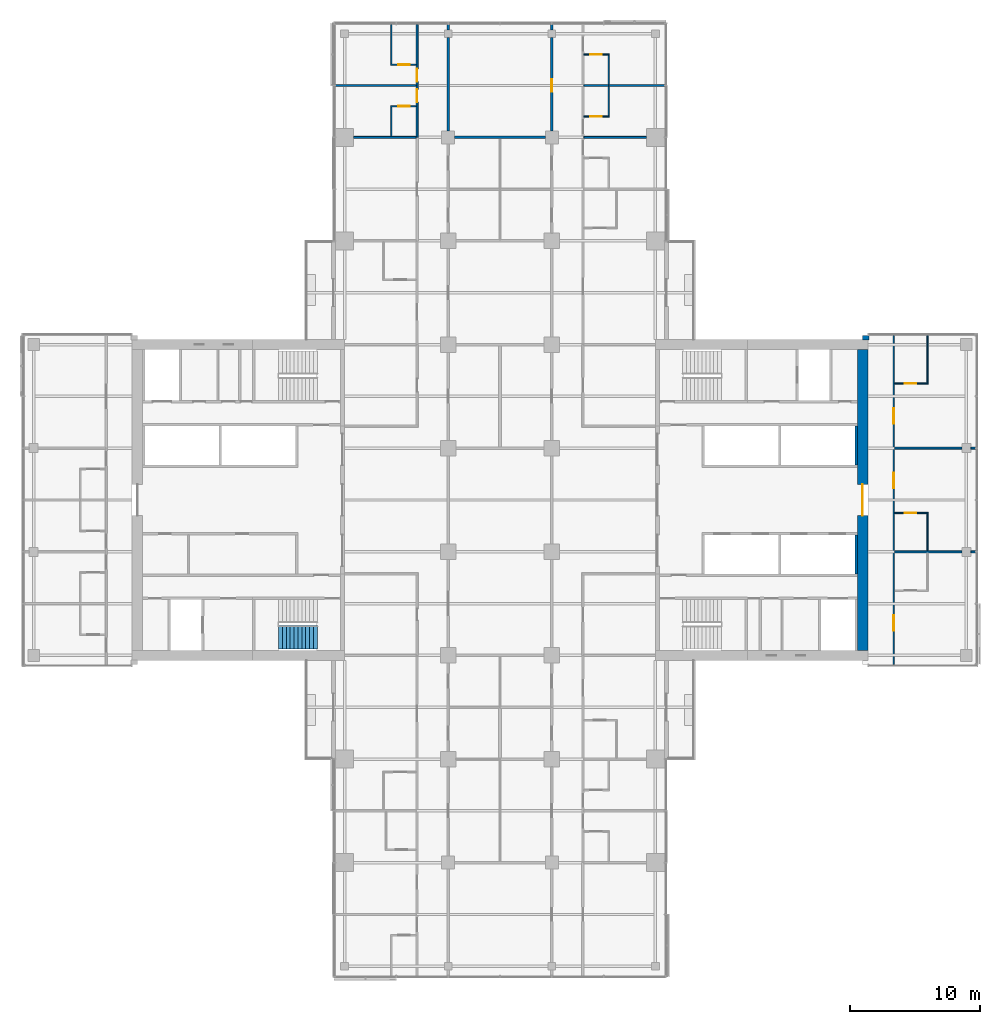
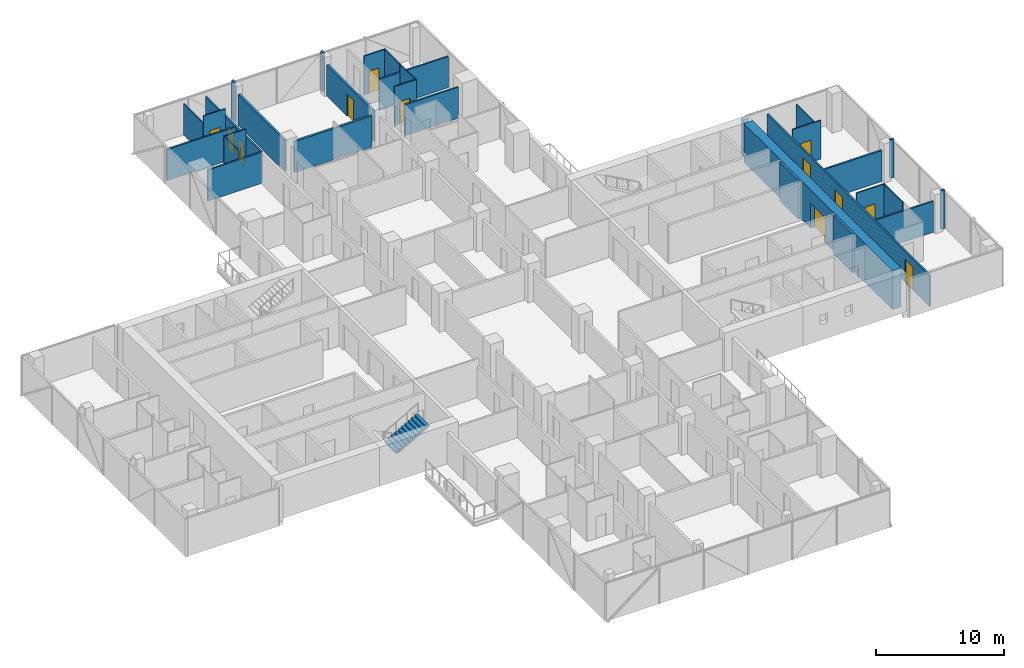
# One storey, part 21 of 27: 31 walls, 13 doors, 1 stair flight, 13 openings, 1 element without a shape of its own.
"""IFC4 building model written with IfcOpenShell, lengths in metres."""

from ifc_helpers import new_model, si_unit, direction, frame, frame_2d, origin, place, context, subcontext, project, spatial, polyline, rectangle, outline, extrude, material, layer, layer_set, type_object, element, fill, aggregate, save


model = new_model("IFC4")

# Units and contexts
model_context = context("Model", 3, precision=1e-05, world=origin(), true_north=direction((0.0, 1.0)))
body_context = subcontext(model_context, "Body", "Model", "MODEL_VIEW")
ifc_project = project(units=[si_unit("LENGTHUNIT", "METRE"), si_unit("AREAUNIT", "SQUARE_METRE"), si_unit("VOLUMEUNIT", "CUBIC_METRE"), si_unit("PLANEANGLEUNIT", "RADIAN"), si_unit("MASSUNIT", "GRAM", prefix="KILO")], contexts=[model_context])

# Site, building, storey
site_placement = place(None, origin())
site = spatial("IfcSite", under=ifc_project, at=site_placement, CompositionType="ELEMENT")
building_placement = place(site_placement, origin())
building = spatial("IfcBuilding", under=site, at=building_placement, Name="Crosswind Convention Tower", CompositionType="ELEMENT")
storey_placement = place(building_placement, frame((0.0, 0.0, 79.39990234375)))
storey = spatial("IfcBuildingStorey", under=building, at=storey_placement, Name="L14", CompositionType="ELEMENT", Elevation=79.39990234375)

# Wall, opening, door
ifc_material_1 = material(Name="Concrete C60/75", Category="concrete")
ifc_layer_1 = layer(ifc_material_1, 0.800048828125)
ifc_layer_set_1 = layer_set([ifc_layer_1], Name="Concrete C60/75")
wall_type_1 = type_object("IfcWallType", Name="Concrete core wall 800", PredefinedType="SHEAR", material=ifc_layer_set_1)
wall_1_placement = place(storey_placement, frame((153.0, 88.39990234375, 0.0), z_axis=(0.0, 0.0, 1.0), x_axis=(0.0, 1.0, 0.0)))
wall_1 = element("IfcWall", 1, at=wall_1_placement, inside=storey, type_object=wall_type_1, Name="Wall O E L14", PredefinedType="SHEAR", context=body_context, shape_type="SweptSolid", body=[
    extrude(rectangle(XDim=23.2001953125, YDim=0.800048828125, at=frame_2d((11.60009765625, 0.0))), origin(), (0.0, 0.0, 1.0), 3.7001953125),
])
opening_1_placement = place(wall_1_placement, frame((10.39990234375, 0.0, 0.0)))
opening_1 = element("IfcOpeningElement", 2, at=opening_1_placement, cuts=wall_1, Name="Opening D100", PredefinedType="OPENING", context=body_context, shape_type="SweptSolid", body=[
    extrude(rectangle(XDim=2.39990234375, YDim=2.39990234375, at=frame_2d((1.199951171875, 1.199951171875))), frame((0.0, 0.409912109375, 0.0), z_axis=(0.0, -1.0, 0.0), x_axis=(1.0, 0.0, 0.0)), (0.0, 0.0, 1.0), 0.820068359375),
])
ifc_material_2 = material(Name="Steel fire door with glazed vision panels", Category="steel")
door_type_1 = type_object("IfcDoorType", Name="Fire-rated double door 2400x2400", OperationType="DOUBLE_DOOR_SINGLE_SWING", PredefinedType="DOOR", material=ifc_material_2)
door_1_placement = place(opening_1_placement, origin())
door_1 = element("IfcDoor", 3, at=door_1_placement, inside=storey, type_object=door_type_1, Name="Lobby outer door L14", ObjectType="D100", OperationType="DOUBLE_DOOR_SINGLE_SWING", OverallHeight=2.39990234375, OverallWidth=2.39990234375, PredefinedType="DOOR", context=body_context, shape_type="SweptSolid", body=[
    extrude(rectangle(XDim=2.39990234375, YDim=2.39990234375, at=frame_2d((1.199951171875, 1.199951171875))), frame((0.0, 0.02490234375, 0.0), z_axis=(0.0, -1.0, 0.0), x_axis=(1.0, 0.0, 0.0)), (0.0, 0.0, 1.0), 0.050048828125),
])
fill(opening_1, door_1)

# Walls
ifc_material_3 = material(Name="Concrete C50/60", Category="concrete")
ifc_layer_2 = layer(ifc_material_3, 0.199951171875)
ifc_layer_set_2 = layer_set([ifc_layer_2], Name="Concrete C50/60")
wall_type_2 = type_object("IfcWallType", Name="Concrete shaft and stair wall 200", PredefinedType="SHEAR", material=ifc_layer_set_2)
for number, where, z_axis, x_axis, name in (
    (4, (152.5, 102.699951171875, 0.0), (0.0, 0.0, 1.0), (0.0, 1.0, 0.0), "Wall RPEAST E L14"),
    (5, (152.5, 94.300048828125, 0.0), (0.0, 0.0, 1.0), (0.0, 1.0, 0.0), "Wall RMEAST E L14"),
):
    element("IfcWall", number, at=place(storey_placement, frame(where, z_axis=z_axis, x_axis=x_axis)), inside=storey, type_object=wall_type_2, Name=name, PredefinedType="SHEAR", context=body_context, shape_type="SweptSolid", body=[
        extrude(rectangle(XDim=3.0, YDim=0.199951171875, at=frame_2d((1.5, 0.0))), origin(), (0.0, 0.0, 1.0), 3.7001953125),
    ])
ifc_material_4 = material(Name="Acoustic plasterboard partition", Category="gypsum")
ifc_layer_3 = layer(ifc_material_4, 0.14990234375)
ifc_layer_set_3 = layer_set([ifc_layer_3], Name="GUEST ROOM WALL 150")
wall_type_3 = type_object("IfcWallType", Name="GUEST ROOM WALL 150", PredefinedType="PARTITIONING", material=ifc_layer_set_3)
wall_2_placement = place(storey_placement, frame((155.47509765625, 96.0, 0.0), z_axis=(0.0, 0.0, 1.0), x_axis=(1.0, 0.0, 0.0)))
element("IfcWall", 6, at=wall_2_placement, inside=storey, type_object=wall_type_3, Name="Guest Room Wall 28", PredefinedType="PARTITIONING", context=body_context, shape_type="SweptSolid", body=[
    extrude(rectangle(XDim=5.1748046875, YDim=0.14990234375, at=frame_2d((2.58740234375, 0.0))), origin(), (0.0, 0.0, 1.0), 2.95654296875),
])
wall_3_placement = place(storey_placement, frame((161.35009765625, 96.0, 0.0), z_axis=(0.0, 0.0, 1.0), x_axis=(1.0, 0.0, 0.0)))
element("IfcWall", 7, at=wall_3_placement, inside=storey, type_object=wall_type_3, Name="Guest Room Wall 29", PredefinedType="PARTITIONING", context=body_context, shape_type="SweptSolid", body=[
    extrude(rectangle(XDim=0.349853515625, YDim=0.14990234375, at=frame_2d((0.1748046875, 0.0))), origin(), (0.0, 0.0, 1.0), 3.7001953125),
])
wall_4_placement = place(storey_placement, frame((155.47509765625, 104.0, 0.0), z_axis=(0.0, 0.0, 1.0), x_axis=(1.0, 0.0, 0.0)))
element("IfcWall", 8, at=wall_4_placement, inside=storey, type_object=wall_type_3, Name="Guest Room Wall 37", PredefinedType="PARTITIONING", context=body_context, shape_type="SweptSolid", body=[
    extrude(rectangle(XDim=5.1748046875, YDim=0.14990234375, at=frame_2d((2.58740234375, 0.0))), origin(), (0.0, 0.0, 1.0), 2.95654296875),
])
wall_5_placement = place(storey_placement, frame((161.35009765625, 104.0, 0.0), z_axis=(0.0, 0.0, 1.0), x_axis=(1.0, 0.0, 0.0)))
element("IfcWall", 9, at=wall_5_placement, inside=storey, type_object=wall_type_3, Name="Guest Room Wall 38", PredefinedType="PARTITIONING", context=body_context, shape_type="SweptSolid", body=[
    extrude(rectangle(XDim=0.349853515625, YDim=0.14990234375, at=frame_2d((0.1748046875, 0.0))), origin(), (0.0, 0.0, 1.0), 3.7001953125),
])
for number, where, z_axis, x_axis, name in (
    (10, (113.699951171875, 128.0, 0.0), (0.0, 0.0, 1.0), (1.0, 0.0, 0.0), "Guest Room Wall 52"),
    (11, (131.47509765625, 128.0, 0.0), (0.0, 0.0, 1.0), (1.0, 0.0, 0.0), "Guest Room Wall 54"),
):
    element("IfcWall", number, at=place(storey_placement, frame(where, z_axis=z_axis, x_axis=x_axis)), inside=storey, type_object=wall_type_3, Name=name, PredefinedType="PARTITIONING", context=body_context, shape_type="SweptSolid", body=[
        extrude(rectangle(XDim=4.824951171875, YDim=0.14990234375, at=frame_2d((2.41259765625, 0.0))), origin(), (0.0, 0.0, 1.0), 2.9599609375),
    ])
for number, where, z_axis, x_axis, name in (
    (12, (112.300048828125, 132.0, 0.0), (0.0, 0.0, 1.0), (1.0, 0.0, 0.0), "Guest Room Wall 57"),
    (13, (131.47509765625, 132.0, 0.0), (0.0, 0.0, 1.0), (1.0, 0.0, 0.0), "Guest Room Wall 58"),
):
    element("IfcWall", number, at=place(storey_placement, frame(where, z_axis=z_axis, x_axis=x_axis)), inside=storey, type_object=wall_type_3, Name=name, PredefinedType="PARTITIONING", context=body_context, shape_type="SweptSolid", body=[
        extrude(rectangle(XDim=6.224853515625, YDim=0.14990234375, at=frame_2d((3.1123046875, 0.0))), origin(), (0.0, 0.0, 1.0), 2.962890625),
    ])

# Wall, openings, doors
wall_6_placement = place(storey_placement, frame((118.60009765625, 128.0, 0.0), z_axis=(0.0, 0.0, 1.0), x_axis=(0.0, 1.0, 0.0)))
wall_6 = element("IfcWall", 14, at=wall_6_placement, inside=storey, type_object=wall_type_3, Name="Guest Room Wall 78", PredefinedType="PARTITIONING", context=body_context, shape_type="SweptSolid", body=[
    extrude(rectangle(XDim=8.699951171875, YDim=0.14990234375, at=frame_2d((4.35009765625, 0.0))), origin(), (0.0, 0.0, 1.0), 2.9599609375),
])
opening_2_placement = place(wall_6_placement, frame((2.699951171875, 0.0, 0.0)))
opening_2 = element("IfcOpeningElement", 15, at=opening_2_placement, cuts=wall_6, Name="Opening 14.016", PredefinedType="OPENING", context=body_context, shape_type="SweptSolid", body=[
    extrude(rectangle(XDim=1.0, YDim=2.10009765625, at=frame_2d((0.5, 1.050048828125))), frame((0.0, 0.0849609375, 0.0), z_axis=(0.0, -1.0, 0.0), x_axis=(1.0, 0.0, 0.0)), (0.0, 0.0, 1.0), 0.169921875),
])
opening_3_placement = place(wall_6_placement, frame((4.300048828125, 0.0, 0.0)))
opening_3 = element("IfcOpeningElement", 16, at=opening_3_placement, cuts=wall_6, Name="Opening 14.018", PredefinedType="OPENING", context=body_context, shape_type="SweptSolid", body=[
    extrude(rectangle(XDim=1.0, YDim=2.10009765625, at=frame_2d((0.5, 1.050048828125))), frame((0.0, 0.0849609375, 0.0), z_axis=(0.0, -1.0, 0.0), x_axis=(1.0, 0.0, 0.0)), (0.0, 0.0, 1.0), 0.169921875),
])
ifc_material_5 = material(Name="Timber fire door", Category="wood")
door_type_2 = type_object("IfcDoorType", Name="GUEST ROOM DOOR 1000X2100", OperationType="NOTDEFINED", PredefinedType="DOOR", material=ifc_material_5)
door_2_placement = place(opening_2_placement, origin())
door_2 = element("IfcDoor", 17, at=door_2_placement, inside=storey, type_object=door_type_2, Name="Door 14.016", ObjectType="D1", OperationType="SINGLE_SWING_RIGHT", OverallHeight=2.10009765625, OverallWidth=1.0, PredefinedType="DOOR", context=body_context, shape_type="SweptSolid", body=[
    extrude(rectangle(XDim=1.0, YDim=2.10009765625, at=frame_2d((0.5, 1.050048828125))), frame((0.0, 0.02490234375, 0.0), z_axis=(0.0, -1.0, 0.0), x_axis=(1.0, 0.0, 0.0)), (0.0, 0.0, 1.0), 0.050048828125),
])
fill(opening_2, door_2)
door_3_placement = place(opening_3_placement, origin())
door_3 = element("IfcDoor", 18, at=door_3_placement, inside=storey, type_object=door_type_2, Name="Door 14.018", ObjectType="D1", OperationType="SINGLE_SWING_RIGHT", OverallHeight=2.10009765625, OverallWidth=1.0, PredefinedType="DOOR", context=body_context, shape_type="SweptSolid", body=[
    extrude(rectangle(XDim=1.0, YDim=2.10009765625, at=frame_2d((0.5, 1.050048828125))), frame((0.0, 0.02490234375, 0.0), z_axis=(0.0, -1.0, 0.0), x_axis=(1.0, 0.0, 0.0)), (0.0, 0.0, 1.0), 0.050048828125),
])
fill(opening_3, door_3)

wall_7_placement = place(storey_placement, frame((155.39990234375, 87.300048828125, 0.0), z_axis=(0.0, 0.0, 1.0), x_axis=(0.0, 1.0, 0.0)))
wall_7 = element("IfcWall", 19, at=wall_7_placement, inside=storey, type_object=wall_type_3, Name="Guest Room Wall 120", PredefinedType="PARTITIONING", context=body_context, shape_type="SweptSolid", body=[
    extrude(rectangle(XDim=25.39990234375, YDim=0.14990234375, at=frame_2d((12.699951171875, 0.0))), origin(), (0.0, 0.0, 1.0), 2.95654296875),
])
opening_4_placement = place(wall_7_placement, frame((2.60009765625, 0.0, 0.0)))
opening_4 = element("IfcOpeningElement", 20, at=opening_4_placement, cuts=wall_7, Name="Opening 14.033", PredefinedType="OPENING", context=body_context, shape_type="SweptSolid", body=[
    extrude(rectangle(XDim=1.199951171875, YDim=2.199951171875, at=frame_2d((0.60009765625, 1.10009765625))), frame((0.0, 0.0849609375, 0.0), z_axis=(0.0, -1.0, 0.0), x_axis=(1.0, 0.0, 0.0)), (0.0, 0.0, 1.0), 0.169921875),
])
opening_5_placement = place(wall_7_placement, frame((13.60009765625, 0.0, 0.0)))
opening_5 = element("IfcOpeningElement", 21, at=opening_5_placement, cuts=wall_7, Name="Opening 14.035", PredefinedType="OPENING", context=body_context, shape_type="SweptSolid", body=[
    extrude(rectangle(XDim=1.199951171875, YDim=2.199951171875, at=frame_2d((0.60009765625, 1.10009765625))), frame((0.0, 0.0849609375, 0.0), z_axis=(0.0, -1.0, 0.0), x_axis=(1.0, 0.0, 0.0)), (0.0, 0.0, 1.0), 0.169921875),
])
opening_6_placement = place(wall_7_placement, frame((18.60009765625, 0.0, 0.0)))
opening_6 = element("IfcOpeningElement", 22, at=opening_6_placement, cuts=wall_7, Name="Opening 14.037", PredefinedType="OPENING", context=body_context, shape_type="SweptSolid", body=[
    extrude(rectangle(XDim=1.199951171875, YDim=2.199951171875, at=frame_2d((0.60009765625, 1.10009765625))), frame((0.0, 0.0849609375, 0.0), z_axis=(0.0, -1.0, 0.0), x_axis=(1.0, 0.0, 0.0)), (0.0, 0.0, 1.0), 0.169921875),
])
door_type_3 = type_object("IfcDoorType", Name="SUITE DOOR 1200X2200", OperationType="DOUBLE_DOOR_SINGLE_SWING", PredefinedType="DOOR", material=ifc_material_5)
door_4_placement = place(opening_4_placement, frame((1.199951171875, 0.0, 0.0), z_axis=(0.0, 0.0, 1.0), x_axis=(-1.0, 0.0, 0.0)))
door_4 = element("IfcDoor", 23, at=door_4_placement, inside=storey, type_object=door_type_3, Name="Door 14.033", ObjectType="D14", OperationType="DOUBLE_DOOR_SINGLE_SWING", OverallHeight=2.199951171875, OverallWidth=1.199951171875, PredefinedType="DOOR", context=body_context, shape_type="SweptSolid", body=[
    extrude(rectangle(XDim=1.199951171875, YDim=2.199951171875, at=frame_2d((0.60009765625, 1.10009765625))), frame((0.0, 0.02490234375, 0.0), z_axis=(0.0, -1.0, 0.0), x_axis=(1.0, 0.0, 0.0)), (0.0, 0.0, 1.0), 0.050048828125),
])
fill(opening_4, door_4)
door_5_placement = place(opening_5_placement, frame((1.199951171875, 0.0, 0.0), z_axis=(0.0, 0.0, 1.0), x_axis=(-1.0, 0.0, 0.0)))
door_5 = element("IfcDoor", 24, at=door_5_placement, inside=storey, type_object=door_type_3, Name="Door 14.035", ObjectType="D14", OperationType="DOUBLE_DOOR_SINGLE_SWING", OverallHeight=2.199951171875, OverallWidth=1.199951171875, PredefinedType="DOOR", context=body_context, shape_type="SweptSolid", body=[
    extrude(rectangle(XDim=1.199951171875, YDim=2.199951171875, at=frame_2d((0.60009765625, 1.10009765625))), frame((0.0, 0.02490234375, 0.0), z_axis=(0.0, -1.0, 0.0), x_axis=(1.0, 0.0, 0.0)), (0.0, 0.0, 1.0), 0.050048828125),
])
fill(opening_5, door_5)
door_6_placement = place(opening_6_placement, frame((1.199951171875, 0.0, 0.0), z_axis=(0.0, 0.0, 1.0), x_axis=(-1.0, 0.0, 0.0)))
door_6 = element("IfcDoor", 25, at=door_6_placement, inside=storey, type_object=door_type_3, Name="Door 14.037", ObjectType="D14", OperationType="DOUBLE_DOOR_SINGLE_SWING", OverallHeight=2.199951171875, OverallWidth=1.199951171875, PredefinedType="DOOR", context=body_context, shape_type="SweptSolid", body=[
    extrude(rectangle(XDim=1.199951171875, YDim=2.199951171875, at=frame_2d((0.60009765625, 1.10009765625))), frame((0.0, 0.02490234375, 0.0), z_axis=(0.0, -1.0, 0.0), x_axis=(1.0, 0.0, 0.0)), (0.0, 0.0, 1.0), 0.050048828125),
])
fill(opening_6, door_6)

# Walls
ifc_material_6 = material(Name="Double plasterboard partition", Category="gypsum")
ifc_layer_4 = layer(ifc_material_6, 0.199951171875)
ifc_layer_set_4 = layer_set([ifc_layer_4], Name="HALL WALL 200")
wall_type_4 = type_object("IfcWallType", Name="HALL WALL 200", PredefinedType="PARTITIONING", material=ifc_layer_set_4)
wall_8_placement = place(storey_placement, frame((121.5, 128.0, 0.0), z_axis=(0.0, 0.0, 1.0), x_axis=(1.0, 0.0, 0.0)))
element("IfcWall", 26, at=wall_8_placement, inside=storey, type_object=wall_type_4, Name="Hall Wall 53", PredefinedType="PARTITIONING", context=body_context, shape_type="SweptSolid", body=[
    extrude(rectangle(XDim=7.0, YDim=0.199951171875, at=frame_2d((3.5, 0.0))), origin(), (0.0, 0.0, 1.0), 2.9599609375),
])
wall_9_placement = place(storey_placement, frame((121.0, 128.5, 0.0), z_axis=(0.0, 0.0, 1.0), x_axis=(0.0, 1.0, 0.0)))
element("IfcWall", 27, at=wall_9_placement, inside=storey, type_object=wall_type_4, Name="Hall Wall 88", PredefinedType="PARTITIONING", context=body_context, shape_type="SweptSolid", body=[
    extrude(rectangle(XDim=7.199951171875, YDim=0.199951171875, at=frame_2d((3.60009765625, 0.0))), origin(), (0.0, 0.0, 1.0), 2.9599609375),
])
wall_10_placement = place(storey_placement, frame((121.0, 136.300048828125, 0.0), z_axis=(0.0, 0.0, 1.0), x_axis=(0.0, 1.0, 0.0)))
element("IfcWall", 28, at=wall_10_placement, inside=storey, type_object=wall_type_4, Name="Hall Wall 89", PredefinedType="PARTITIONING", context=body_context, shape_type="SweptSolid", body=[
    extrude(rectangle(XDim=0.39990234375, YDim=0.199951171875, at=frame_2d((0.199951171875, 0.0))), origin(), (0.0, 0.0, 1.0), 3.7001953125),
])

# Wall, opening, door
wall_11_placement = place(storey_placement, frame((129.0, 128.5, 0.0), z_axis=(0.0, 0.0, 1.0), x_axis=(0.0, 1.0, 0.0)))
wall_11 = element("IfcWall", 29, at=wall_11_placement, inside=storey, type_object=wall_type_4, Name="Hall Wall 106", PredefinedType="PARTITIONING", context=body_context, shape_type="SweptSolid", body=[
    extrude(rectangle(XDim=7.199951171875, YDim=0.199951171875, at=frame_2d((3.60009765625, 0.0))), origin(), (0.0, 0.0, 1.0), 2.9599609375),
])
opening_7_placement = place(wall_11_placement, frame((3.0, 0.0, 0.0)))
opening_7 = element("IfcOpeningElement", 30, at=opening_7_placement, cuts=wall_11, Name="Opening 14.063", PredefinedType="OPENING", context=body_context, shape_type="SweptSolid", body=[
    extrude(rectangle(XDim=1.0, YDim=2.10009765625, at=frame_2d((0.5, 1.050048828125))), frame((0.0, 0.10986328125, 0.0), z_axis=(0.0, -1.0, 0.0), x_axis=(1.0, 0.0, 0.0)), (0.0, 0.0, 1.0), 0.219970703125),
])
door_type_4 = type_object("IfcDoorType", Name="MEETING ROOM DOOR 1000X2100", OperationType="NOTDEFINED", PredefinedType="DOOR", material=ifc_material_5)
door_7_placement = place(opening_7_placement, frame((1.0, 0.0, 0.0), z_axis=(0.0, 0.0, 1.0), x_axis=(-1.0, 0.0, 0.0)))
door_7 = element("IfcDoor", 31, at=door_7_placement, inside=storey, type_object=door_type_4, Name="Door 14.063", ObjectType="D13", OperationType="SINGLE_SWING_RIGHT", OverallHeight=2.10009765625, OverallWidth=1.0, PredefinedType="DOOR", context=body_context, shape_type="SweptSolid", body=[
    extrude(rectangle(XDim=1.0, YDim=2.10009765625, at=frame_2d((0.5, 1.050048828125))), frame((0.0, 0.02490234375, 0.0), z_axis=(0.0, -1.0, 0.0), x_axis=(1.0, 0.0, 0.0)), (0.0, 0.0, 1.0), 0.050048828125),
])
fill(opening_7, door_7)

# Walls
wall_12_placement = place(storey_placement, frame((129.0, 136.300048828125, 0.0), z_axis=(0.0, 0.0, 1.0), x_axis=(0.0, 1.0, 0.0)))
element("IfcWall", 32, at=wall_12_placement, inside=storey, type_object=wall_type_4, Name="Hall Wall 107", PredefinedType="PARTITIONING", context=body_context, shape_type="SweptSolid", body=[
    extrude(rectangle(XDim=0.39990234375, YDim=0.199951171875, at=frame_2d((0.199951171875, 0.0))), origin(), (0.0, 0.0, 1.0), 3.7001953125),
])
ifc_material_7 = material(Name="Terracotta rainscreen", Category="ceramic")
ifc_layer_5 = layer(ifc_material_7, 0.02001953125)
ifc_material_8 = material(Name="Mineral wool insulation", Category="insulation")
ifc_layer_6 = layer(ifc_material_8, 0.10009765625)
ifc_material_9 = material(Name="Concrete blockwork", Category="masonry")
ifc_layer_7 = layer(ifc_material_9, 0.236083984375)
ifc_layer_set_5 = layer_set([ifc_layer_5, ifc_layer_6, ifc_layer_7], Name="TERRACOTTA CORNER INFILL WALL 356")
wall_type_5 = type_object("IfcWallType", Name="TERRACOTTA CORNER INFILL WALL 356", PredefinedType="SOLIDWALL", material=ifc_layer_set_5)
wall_13_placement = place(storey_placement, frame((153.0, 112.52197265625, 0.0), z_axis=(0.0, 0.0, 1.0), x_axis=(1.0, 0.0, 0.0)))
element("IfcWall", 33, at=wall_13_placement, inside=storey, type_object=wall_type_5, Name="Core corner infill wall L14 1", PredefinedType="SOLIDWALL", context=body_context, shape_type="SweptSolid", body=[
    extrude(rectangle(XDim=0.5048828125, YDim=0.35595703125, at=frame_2d((0.25244140625, 0.0))), origin(), (0.0, 0.0, 1.0), 3.420166015625),
])

# Wall, opening, door
ifc_material_10 = material(Name="Water-resistant plasterboard partition", Category="gypsum")
ifc_layer_8 = layer(ifc_material_10, 0.10009765625)
ifc_layer_set_6 = layer_set([ifc_layer_8], Name="WET ROOM PARTITION 100")
wall_type_6 = type_object("IfcWallType", Name="WET ROOM PARTITION 100", PredefinedType="PLUMBINGWALL", material=ifc_layer_set_6)
wall_14_placement = place(storey_placement, frame((155.47509765625, 99.0, 0.0), z_axis=(0.0, 0.0, 1.0), x_axis=(1.0, 0.0, 0.0)))
wall_14 = element("IfcWall", 34, at=wall_14_placement, inside=storey, type_object=wall_type_6, Name="Wet Room Partition 31", PredefinedType="PLUMBINGWALL", context=body_context, shape_type="SweptSolid", body=[
    extrude(rectangle(XDim=2.574951171875, YDim=0.10009765625, at=frame_2d((1.28759765625, 0.0))), origin(), (0.0, 0.0, 1.0), 3.7001953125),
])
opening_8_placement = place(wall_14_placement, frame((0.77490234375, 0.0, 0.0)))
opening_8 = element("IfcOpeningElement", 35, at=opening_8_placement, cuts=wall_14, Name="Opening 14.036", PredefinedType="OPENING", context=body_context, shape_type="SweptSolid", body=[
    extrude(rectangle(XDim=0.89990234375, YDim=2.10009765625, at=frame_2d((0.449951171875, 1.050048828125))), frame((0.0, 0.06005859375, 0.0), z_axis=(0.0, -1.0, 0.0), x_axis=(1.0, 0.0, 0.0)), (0.0, 0.0, 1.0), 0.1201171875),
])
ifc_material_11 = material(Name="Timber door", Category="wood")
door_type_5 = type_object("IfcDoorType", Name="EN-SUITE DOOR 900X2100", OperationType="NOTDEFINED", PredefinedType="DOOR", material=ifc_material_11)
door_8_placement = place(opening_8_placement, frame((0.89990234375, 0.0, 0.0), z_axis=(0.0, 0.0, 1.0), x_axis=(-1.0, 0.0, 0.0)))
door_8 = element("IfcDoor", 36, at=door_8_placement, inside=storey, type_object=door_type_5, Name="Door 14.036", ObjectType="D2", OperationType="SINGLE_SWING_LEFT", OverallHeight=2.10009765625, OverallWidth=0.89990234375, PredefinedType="DOOR", context=body_context, shape_type="SweptSolid", body=[
    extrude(rectangle(XDim=0.89990234375, YDim=2.10009765625, at=frame_2d((0.449951171875, 1.050048828125))), frame((0.0, 0.02490234375, 0.0), z_axis=(0.0, -1.0, 0.0), x_axis=(1.0, 0.0, 0.0)), (0.0, 0.0, 1.0), 0.050048828125),
])
fill(opening_8, door_8)

wall_15_placement = place(storey_placement, frame((155.47509765625, 109.0, 0.0), z_axis=(0.0, 0.0, 1.0), x_axis=(1.0, 0.0, 0.0)))
wall_15 = element("IfcWall", 37, at=wall_15_placement, inside=storey, type_object=wall_type_6, Name="Wet Room Partition 41", PredefinedType="PLUMBINGWALL", context=body_context, shape_type="SweptSolid", body=[
    extrude(rectangle(XDim=2.574951171875, YDim=0.10009765625, at=frame_2d((1.28759765625, 0.0))), origin(), (0.0, 0.0, 1.0), 3.7001953125),
])
opening_9_placement = place(wall_15_placement, frame((0.77490234375, 0.0, 0.0)))
opening_9 = element("IfcOpeningElement", 38, at=opening_9_placement, cuts=wall_15, Name="Opening 14.038", PredefinedType="OPENING", context=body_context, shape_type="SweptSolid", body=[
    extrude(rectangle(XDim=0.89990234375, YDim=2.10009765625, at=frame_2d((0.449951171875, 1.050048828125))), frame((0.0, 0.06005859375, 0.0), z_axis=(0.0, -1.0, 0.0), x_axis=(1.0, 0.0, 0.0)), (0.0, 0.0, 1.0), 0.1201171875),
])
door_9_placement = place(opening_9_placement, origin())
door_9 = element("IfcDoor", 39, at=door_9_placement, inside=storey, type_object=door_type_5, Name="Door 14.038", ObjectType="D2", OperationType="SINGLE_SWING_RIGHT", OverallHeight=2.10009765625, OverallWidth=0.89990234375, PredefinedType="DOOR", context=body_context, shape_type="SweptSolid", body=[
    extrude(rectangle(XDim=0.89990234375, YDim=2.10009765625, at=frame_2d((0.449951171875, 1.050048828125))), frame((0.0, 0.02490234375, 0.0), z_axis=(0.0, -1.0, 0.0), x_axis=(1.0, 0.0, 0.0)), (0.0, 0.0, 1.0), 0.050048828125),
])
fill(opening_9, door_9)

wall_16_placement = place(storey_placement, frame((131.47509765625, 129.60009765625, 0.0), z_axis=(0.0, 0.0, 1.0), x_axis=(1.0, 0.0, 0.0)))
wall_16 = element("IfcWall", 40, at=wall_16_placement, inside=storey, type_object=wall_type_6, Name="Wet Room Partition 55", PredefinedType="PLUMBINGWALL", context=body_context, shape_type="SweptSolid", body=[
    extrude(rectangle(XDim=1.974853515625, YDim=0.10009765625, at=frame_2d((0.9873046875, 0.0))), origin(), (0.0, 0.0, 1.0), 3.7001953125),
])
opening_10_placement = place(wall_16_placement, frame((0.47509765625, 0.0, 0.0)))
opening_10 = element("IfcOpeningElement", 41, at=opening_10_placement, cuts=wall_16, Name="Opening 14.010", PredefinedType="OPENING", context=body_context, shape_type="SweptSolid", body=[
    extrude(rectangle(XDim=0.89990234375, YDim=2.10009765625, at=frame_2d((0.449951171875, 1.050048828125))), frame((0.0, 0.06005859375, 0.0), z_axis=(0.0, -1.0, 0.0), x_axis=(1.0, 0.0, 0.0)), (0.0, 0.0, 1.0), 0.1201171875),
])
door_10_placement = place(opening_10_placement, origin())
door_10 = element("IfcDoor", 42, at=door_10_placement, inside=storey, type_object=door_type_5, Name="Door 14.010", ObjectType="D2", OperationType="SINGLE_SWING_RIGHT", OverallHeight=2.10009765625, OverallWidth=0.89990234375, PredefinedType="DOOR", context=body_context, shape_type="SweptSolid", body=[
    extrude(rectangle(XDim=0.89990234375, YDim=2.10009765625, at=frame_2d((0.449951171875, 1.050048828125))), frame((0.0, 0.02490234375, 0.0), z_axis=(0.0, -1.0, 0.0), x_axis=(1.0, 0.0, 0.0)), (0.0, 0.0, 1.0), 0.050048828125),
])
fill(opening_10, door_10)

wall_17_placement = place(storey_placement, frame((116.550048828125, 130.39990234375, 0.0), z_axis=(0.0, 0.0, 1.0), x_axis=(1.0, 0.0, 0.0)))
wall_17 = element("IfcWall", 43, at=wall_17_placement, inside=storey, type_object=wall_type_6, Name="Wet Room Partition 56", PredefinedType="PLUMBINGWALL", context=body_context, shape_type="SweptSolid", body=[
    extrude(rectangle(XDim=1.974853515625, YDim=0.10009765625, at=frame_2d((0.9873046875, 0.0))), origin(), (0.0, 0.0, 1.0), 3.7001953125),
])
opening_11_placement = place(wall_17_placement, frame((0.60009765625, 0.0, 0.0)))
opening_11 = element("IfcOpeningElement", 44, at=opening_11_placement, cuts=wall_17, Name="Opening 14.017", PredefinedType="OPENING", context=body_context, shape_type="SweptSolid", body=[
    extrude(rectangle(XDim=0.89990234375, YDim=2.10009765625, at=frame_2d((0.449951171875, 1.050048828125))), frame((0.0, 0.06005859375, 0.0), z_axis=(0.0, -1.0, 0.0), x_axis=(1.0, 0.0, 0.0)), (0.0, 0.0, 1.0), 0.1201171875),
])
door_11_placement = place(opening_11_placement, frame((0.89990234375, 0.0, 0.0), z_axis=(0.0, 0.0, 1.0), x_axis=(-1.0, 0.0, 0.0)))
door_11 = element("IfcDoor", 45, at=door_11_placement, inside=storey, type_object=door_type_5, Name="Door 14.017", ObjectType="D2", OperationType="SINGLE_SWING_LEFT", OverallHeight=2.10009765625, OverallWidth=0.89990234375, PredefinedType="DOOR", context=body_context, shape_type="SweptSolid", body=[
    extrude(rectangle(XDim=0.89990234375, YDim=2.10009765625, at=frame_2d((0.449951171875, 1.050048828125))), frame((0.0, 0.02490234375, 0.0), z_axis=(0.0, -1.0, 0.0), x_axis=(1.0, 0.0, 0.0)), (0.0, 0.0, 1.0), 0.050048828125),
])
fill(opening_11, door_11)

wall_18_placement = place(storey_placement, frame((116.550048828125, 133.60009765625, 0.0), z_axis=(0.0, 0.0, 1.0), x_axis=(1.0, 0.0, 0.0)))
wall_18 = element("IfcWall", 46, at=wall_18_placement, inside=storey, type_object=wall_type_6, Name="Wet Room Partition 59", PredefinedType="PLUMBINGWALL", context=body_context, shape_type="SweptSolid", body=[
    extrude(rectangle(XDim=1.974853515625, YDim=0.10009765625, at=frame_2d((0.9873046875, 0.0))), origin(), (0.0, 0.0, 1.0), 3.7001953125),
])
opening_12_placement = place(wall_18_placement, frame((0.60009765625, 0.0, 0.0)))
opening_12 = element("IfcOpeningElement", 47, at=opening_12_placement, cuts=wall_18, Name="Opening 14.019", PredefinedType="OPENING", context=body_context, shape_type="SweptSolid", body=[
    extrude(rectangle(XDim=0.89990234375, YDim=2.10009765625, at=frame_2d((0.449951171875, 1.050048828125))), frame((0.0, 0.06005859375, 0.0), z_axis=(0.0, -1.0, 0.0), x_axis=(1.0, 0.0, 0.0)), (0.0, 0.0, 1.0), 0.1201171875),
])
door_12_placement = place(opening_12_placement, origin())
door_12 = element("IfcDoor", 48, at=door_12_placement, inside=storey, type_object=door_type_5, Name="Door 14.019", ObjectType="D2", OperationType="SINGLE_SWING_RIGHT", OverallHeight=2.10009765625, OverallWidth=0.89990234375, PredefinedType="DOOR", context=body_context, shape_type="SweptSolid", body=[
    extrude(rectangle(XDim=0.89990234375, YDim=2.10009765625, at=frame_2d((0.449951171875, 1.050048828125))), frame((0.0, 0.02490234375, 0.0), z_axis=(0.0, -1.0, 0.0), x_axis=(1.0, 0.0, 0.0)), (0.0, 0.0, 1.0), 0.050048828125),
])
fill(opening_12, door_12)

wall_19_placement = place(storey_placement, frame((131.47509765625, 134.39990234375, 0.0), z_axis=(0.0, 0.0, 1.0), x_axis=(1.0, 0.0, 0.0)))
wall_19 = element("IfcWall", 49, at=wall_19_placement, inside=storey, type_object=wall_type_6, Name="Wet Room Partition 60", PredefinedType="PLUMBINGWALL", context=body_context, shape_type="SweptSolid", body=[
    extrude(rectangle(XDim=1.974853515625, YDim=0.10009765625, at=frame_2d((0.9873046875, 0.0))), origin(), (0.0, 0.0, 1.0), 3.7001953125),
])
opening_13_placement = place(wall_19_placement, frame((0.47509765625, 0.0, 0.0)))
opening_13 = element("IfcOpeningElement", 50, at=opening_13_placement, cuts=wall_19, Name="Opening 14.012", PredefinedType="OPENING", context=body_context, shape_type="SweptSolid", body=[
    extrude(rectangle(XDim=0.89990234375, YDim=2.10009765625, at=frame_2d((0.449951171875, 1.050048828125))), frame((0.0, 0.06005859375, 0.0), z_axis=(0.0, -1.0, 0.0), x_axis=(1.0, 0.0, 0.0)), (0.0, 0.0, 1.0), 0.1201171875),
])
door_13_placement = place(opening_13_placement, frame((0.89990234375, 0.0, 0.0), z_axis=(0.0, 0.0, 1.0), x_axis=(-1.0, 0.0, 0.0)))
door_13 = element("IfcDoor", 51, at=door_13_placement, inside=storey, type_object=door_type_5, Name="Door 14.012", ObjectType="D2", OperationType="SINGLE_SWING_LEFT", OverallHeight=2.10009765625, OverallWidth=0.89990234375, PredefinedType="DOOR", context=body_context, shape_type="SweptSolid", body=[
    extrude(rectangle(XDim=0.89990234375, YDim=2.10009765625, at=frame_2d((0.449951171875, 1.050048828125))), frame((0.0, 0.02490234375, 0.0), z_axis=(0.0, -1.0, 0.0), x_axis=(1.0, 0.0, 0.0)), (0.0, 0.0, 1.0), 0.050048828125),
])
fill(opening_13, door_13)

# Walls
wall_20_placement = place(storey_placement, frame((116.60009765625, 128.074951171875, 0.0), z_axis=(0.0, 0.0, 1.0), x_axis=(0.0, 1.0, 0.0)))
element("IfcWall", 52, at=wall_20_placement, inside=storey, type_object=wall_type_6, Name="Wet Room Partition 71", PredefinedType="PLUMBINGWALL", context=body_context, shape_type="SweptSolid", body=[
    extrude(rectangle(XDim=2.275146484375, YDim=0.10009765625, at=frame_2d((1.1376953125, 0.0))), origin(), (0.0, 0.0, 1.0), 3.7001953125),
])
wall_21_placement = place(storey_placement, frame((116.60009765625, 133.64990234375, 0.0), z_axis=(0.0, 0.0, 1.0), x_axis=(0.0, 1.0, 0.0)))
element("IfcWall", 53, at=wall_21_placement, inside=storey, type_object=wall_type_6, Name="Wet Room Partition 72", PredefinedType="PLUMBINGWALL", context=body_context, shape_type="SweptSolid", body=[
    extrude(rectangle(XDim=3.050048828125, YDim=0.10009765625, at=frame_2d((1.52490234375, 0.0))), origin(), (0.0, 0.0, 1.0), 2.962890625),
])
for number, where, z_axis, x_axis, name in (
    (54, (133.39990234375, 129.64990234375, 0.0), (0.0, 0.0, 1.0), (0.0, 1.0, 0.0), "Wet Room Partition 116"),
    (55, (133.39990234375, 132.074951171875, 0.0), (0.0, 0.0, 1.0), (0.0, 1.0, 0.0), "Wet Room Partition 117"),
):
    element("IfcWall", number, at=place(storey_placement, frame(where, z_axis=z_axis, x_axis=x_axis)), inside=storey, type_object=wall_type_6, Name=name, PredefinedType="PLUMBINGWALL", context=body_context, shape_type="SweptSolid", body=[
        extrude(rectangle(XDim=2.275146484375, YDim=0.10009765625, at=frame_2d((1.1376953125, 0.0))), origin(), (0.0, 0.0, 1.0), 3.7001953125),
    ])
wall_22_placement = place(storey_placement, frame((158.0, 96.074951171875, 0.0), z_axis=(0.0, 0.0, 1.0), x_axis=(0.0, 1.0, 0.0)))
element("IfcWall", 56, at=wall_22_placement, inside=storey, type_object=wall_type_6, Name="Wet Room Partition 122", PredefinedType="PLUMBINGWALL", context=body_context, shape_type="SweptSolid", body=[
    extrude(rectangle(XDim=2.875, YDim=0.10009765625, at=frame_2d((1.4375, 0.0))), origin(), (0.0, 0.0, 1.0), 3.7001953125),
])
wall_23_placement = place(storey_placement, frame((158.0, 109.050048828125, 0.0), z_axis=(0.0, 0.0, 1.0), x_axis=(0.0, 1.0, 0.0)))
element("IfcWall", 57, at=wall_23_placement, inside=storey, type_object=wall_type_6, Name="Wet Room Partition 123", PredefinedType="PLUMBINGWALL", context=body_context, shape_type="SweptSolid", body=[
    extrude(rectangle(XDim=3.64990234375, YDim=0.10009765625, at=frame_2d((1.824951171875, 0.0))), origin(), (0.0, 0.0, 1.0), 2.962890625),
])

# Stair, stair flight
ifc_material_12 = material(Name="Concrete C40/50", Category="concrete")
stair_type = type_object("IfcStairType", Name="Exit stair 1800 wide, 2 flights of 11 risers", PredefinedType="HALF_TURN_STAIR", material=ifc_material_12)
stair_placement = place(storey_placement, origin())
stair = element("IfcStair", 58, at=stair_placement, inside=storey, type_object=stair_type, Name="Exit stair ST3 L14", ObjectType="ST5", PredefinedType="HALF_TURN_STAIR")
stair_flight_type = type_object("IfcStairFlightType", Name="Stair flight 1800 wide, 11 risers (SF3)", PredefinedType="STRAIGHT", material=ifc_material_12)
stair_flight_placement = place(storey_placement, frame((107.89990234375, 89.39990234375, 1.85009765625), z_axis=(0.0, 0.0, 1.0), x_axis=(1.0, 0.0, 0.0)))
stair_flight = element("IfcStairFlight", 59, at=stair_flight_placement, type_object=stair_flight_type, Name="ST3 flight 2", NumberOfRisers=11, NumberOfTreads=10, PredefinedType="STRAIGHT", RiserHeight=0.168181818, TreadLength=0.3, context=body_context, shape_type="SweptSolid", body=[
    extrude(outline(polyline([(0.0, 0.0), (0.0, 0.168212890625), (0.300048828125, 0.168212890625), (0.300048828125, 0.33642578125), (0.60009765625, 0.33642578125), (0.60009765625, 0.504638671875), (0.89990234375, 0.504638671875), (0.89990234375, 0.672607421875), (1.199951171875, 0.672607421875), (1.199951171875, 0.8408203125), (1.5, 0.8408203125), (1.5, 1.009033203125), (1.800048828125, 1.009033203125), (1.800048828125, 1.17724609375), (2.10009765625, 1.17724609375), (2.10009765625, 1.345458984375), (2.39990234375, 1.345458984375), (2.39990234375, 1.513671875), (2.699951171875, 1.513671875), (2.699951171875, 1.681884765625), (3.0, 1.681884765625), (3.0, 1.85009765625), (3.0, 1.510009765625), (0.306640625, 0.0), (0.0, 0.0)])), frame((0.0, 0.89990234375, 0.0), z_axis=(0.0, -1.0, 0.0), x_axis=(1.0, 0.0, 0.0)), (0.0, 0.0, 1.0), 1.800048828125),
])
aggregate(stair, [stair_flight])

save(model, "model.ifc")
